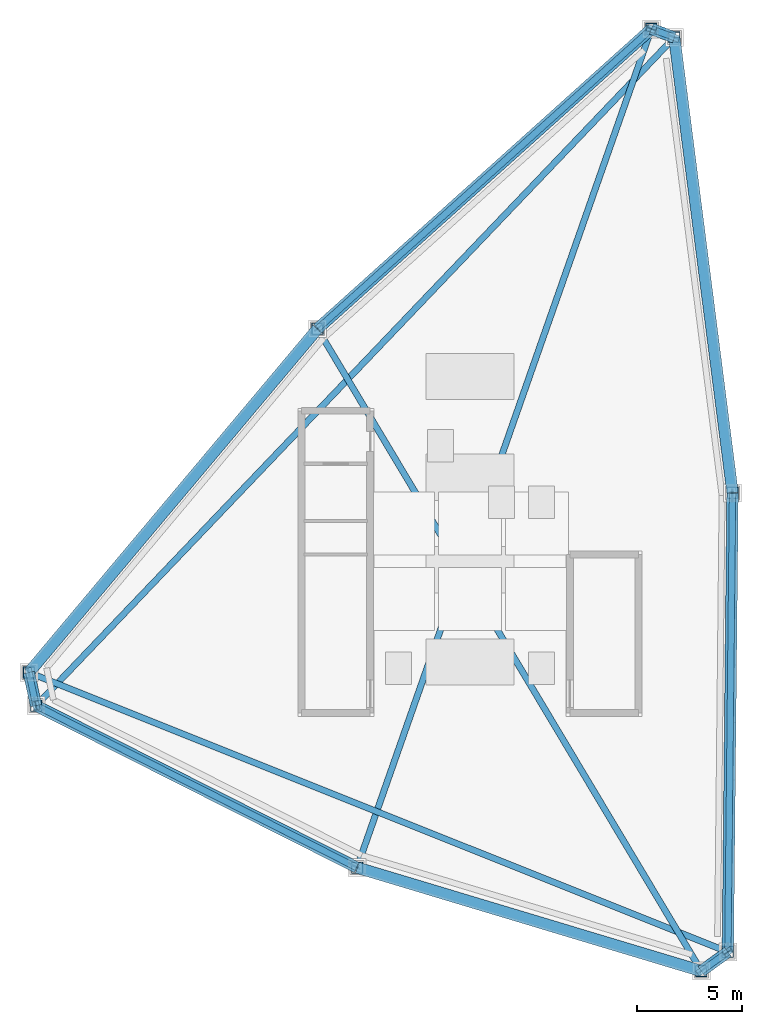
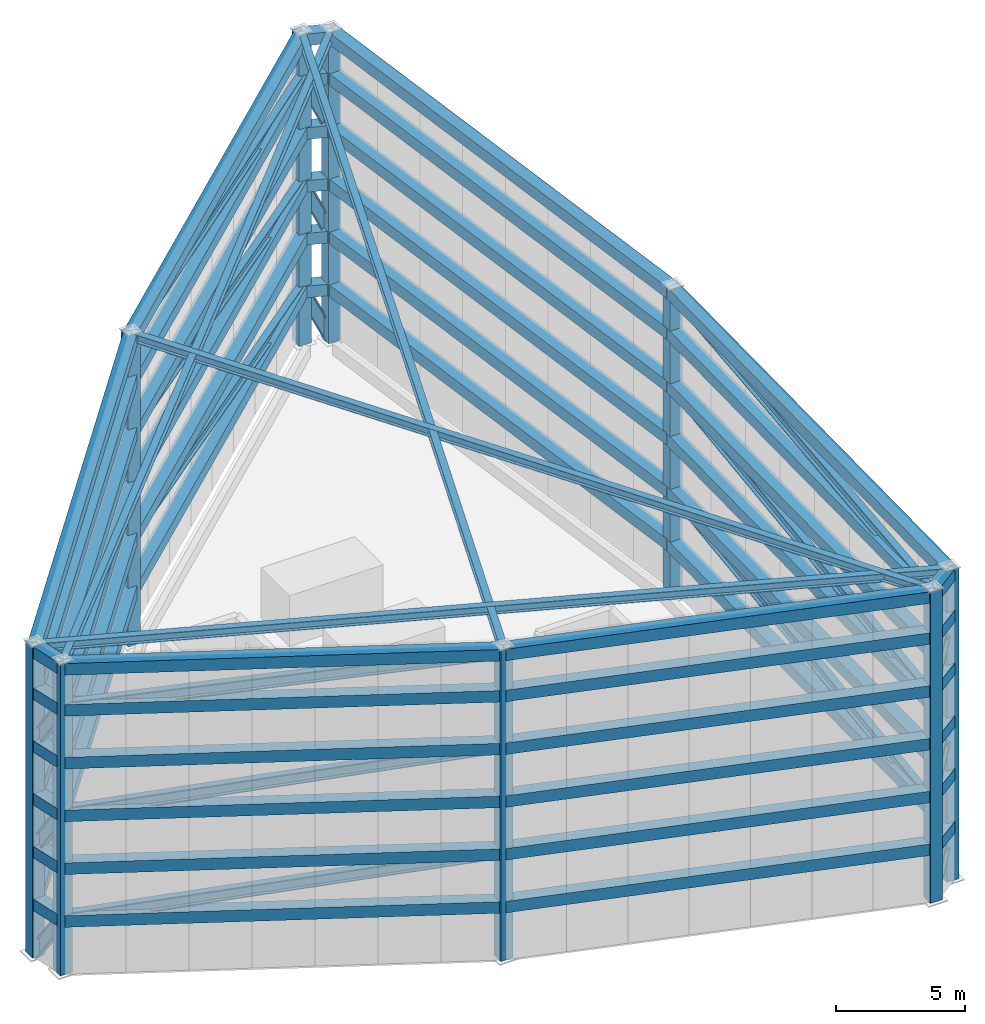
# One storey, part 1 of 9: 58 beams, 18 members, 9 columns.
"""IFC4 building model written with IfcOpenShell, lengths in metres."""

from ifc_helpers import new_model, si_unit, direction, frame, origin, origin_2d, place, context, subcontext, project, spatial, hollow_rectangle, i_section, extrude, source, transform, mapped, material, material_profile, profile_set, type_object, element, save


model = new_model("IFC4")

# Units and contexts
model_context = context("Model", 3, precision=1e-05, world=origin(), true_north=direction((0.0, 1.0)))
body_context = subcontext(model_context, "Body", "Model", "MODEL_VIEW")
ifc_project = project(units=[si_unit("LENGTHUNIT", "METRE"), si_unit("AREAUNIT", "SQUARE_METRE"), si_unit("VOLUMEUNIT", "CUBIC_METRE"), si_unit("PLANEANGLEUNIT", "RADIAN"), si_unit("MASSUNIT", "GRAM", prefix="KILO")], contexts=[model_context])

# Site, building, storey
site_placement = place(None, origin())
site = spatial("IfcSite", under=ifc_project, at=site_placement, CompositionType="ELEMENT")
building_placement = place(site_placement, origin())
building = spatial("IfcBuilding", under=site, at=building_placement, Name="Olszyna Solenne Hotel", CompositionType="ELEMENT")
storey_placement = place(building_placement, frame((0.0, 0.0, 295.0)))
storey = spatial("IfcBuildingStorey", under=building, at=storey_placement, Name="Roof Crown", CompositionType="ELEMENT", Elevation=295.0)

# Columns
ifc_material_1 = material(Name="Steel S460M", Category="steel")
ifc_material_profile_1 = material_profile(ifc_material_1, hollow_rectangle(XDim=0.550048828125, YDim=0.550048828125, WallThickness=0.030029296875, at=origin_2d()), Name="SHS 550x550x30", Category="load-bearing")
ifc_profile_set_1 = profile_set([ifc_material_profile_1], Name="Steel S460M")
column_type = type_object("IfcColumnType", Name="COL-CF1 CROWN FRAME", PredefinedType="COLUMN", material=ifc_profile_set_1)
shared_shape_1 = source(origin(), body_context, "Body", "SweptSolid", [
    extrude(hollow_rectangle(XDim=0.550048828125, YDim=0.550048828125, WallThickness=0.030029296875, at=origin_2d()), origin(), (0.0, 0.0, 1.0), 14.719970703125),
])
for number, where, z_axis, x_axis, name in (
    (1, (47.73046875, 51.541015625, 0.0), (0.0, 0.0, 1.0), (1.0, 0.0, 0.0), "CROWN FRAME vertical post COL-CF1 CF-COL-01"),
    (2, (46.6376953125, 51.9462890625, 0.0), (0.0, 0.0, 1.0), (1.0, 0.0, 0.0), "CROWN FRAME vertical post COL-CF1 CF-COL-02"),
    (3, (30.739990234375, 37.668212890625, 0.0), (0.0, 0.0, 1.0), (1.0, 0.0, 0.0), "CROWN FRAME vertical post COL-CF1 CF-COL-03"),
    (4, (16.998779296875, 21.30419921875, 0.0), (0.0, 0.0, 1.0), (1.0, 0.0, 0.0), "CROWN FRAME vertical post COL-CF1 CF-COL-04"),
    (5, (17.33740234375, 19.724609375, 0.0), (0.0, 0.0, 1.0), (1.0, 0.0, 0.0), "CROWN FRAME vertical post COL-CF1 CF-COL-05"),
    (6, (32.621337890625, 12.012451171875, 0.0), (0.0, 0.0, 1.0), (1.0, 0.0, 0.0), "CROWN FRAME vertical post COL-CF1 CF-COL-06"),
    (7, (49.016845703125, 7.0869140625, 0.0), (0.0, 0.0, 1.0), (1.0, 0.0, 0.0), "CROWN FRAME vertical post COL-CF1 CF-COL-07"),
    (8, (50.27880859375, 7.9970703125, 0.0), (0.0, 0.0, 1.0), (1.0, 0.0, 0.0), "CROWN FRAME vertical post COL-CF1 CF-COL-08"),
    (9, (50.502197265625, 29.856689453125, 0.0), (0.0, 0.0, 1.0), (1.0, 0.0, 0.0), "CROWN FRAME vertical post COL-CF1 CF-COL-09"),
):
    element("IfcColumn", number, at=place(storey_placement, frame(where, z_axis=z_axis, x_axis=x_axis)), inside=storey, type_object=column_type, Name=name, PredefinedType="COLUMN", context=body_context, shape_type="MappedRepresentation", body=[
        mapped(shared_shape_1, transform((0.0, 0.0, 0.0), x_axis=(1.0, 0.0, 0.0), y_axis=(0.0, 1.0, 0.0), z_axis=(0.0, 0.0, 1.0), scale=1.0)),
    ])

# Beams
ifc_material_profile_2 = material_profile(ifc_material_1, hollow_rectangle(XDim=0.550048828125, YDim=0.550048828125, WallThickness=0.030029296875, at=origin_2d()), Name="SHS 550x550x30", Category="load-bearing")
ifc_profile_set_2 = profile_set([ifc_material_profile_2], Name="Steel S460M")
beam_type_1 = type_object("IfcBeamType", Name="CF-RG1 CROWN FRAME", PredefinedType="BEAM", material=ifc_profile_set_2)
shared_shape_2 = source(origin(), body_context, "Body", "SweptSolid", [
    extrude(hollow_rectangle(XDim=0.550048828125, YDim=0.550048828125, WallThickness=0.030029296875, at=origin_2d()), origin(), (0.0, 0.0, 1.0), 1.16552734375),
])
for number, where, z_axis, x_axis, name in (
    (10, (47.73046875, 51.541015625, 2.5), (-0.937597063116, 0.347723665052, 0.0), (-0.347723665052, -0.937597063116, 0.0), "CROWN FRAME ring beam CF-RG1 CF-RG-T1-01"),
    (11, (47.73046875, 51.541015625, 5.0), (-0.937597063116, 0.347723665052, 0.0), (-0.347723665052, -0.937597063116, 0.0), "CROWN FRAME ring beam CF-RG1 CF-RG-T2-01"),
    (12, (47.73046875, 51.541015625, 7.5), (-0.937597063116, 0.347723665052, 0.0), (-0.347723665052, -0.937597063116, 0.0), "CROWN FRAME ring beam CF-RG1 CF-RG-T3-01"),
    (13, (47.73046875, 51.541015625, 10.0), (-0.937597063116, 0.347723665052, 0.0), (-0.347723665052, -0.937597063116, 0.0), "CROWN FRAME ring beam CF-RG1 CF-RG-T4-01"),
    (14, (47.73046875, 51.541015625, 12.5), (-0.937597063116, 0.347723665052, 0.0), (-0.347723665052, -0.937597063116, 0.0), "CROWN FRAME ring beam CF-RG1 CF-RG-T5-01"),
    (15, (47.73046875, 51.541015625, 14.43994140625), (-0.937597063116, 0.347723665052, 0.0), (-0.347723665052, -0.937597063116, 0.0), "CROWN FRAME ring beam CF-RG1 CF-RG-T6-01"),
):
    element("IfcBeam", number, at=place(storey_placement, frame(where, z_axis=z_axis, x_axis=x_axis)), inside=storey, type_object=beam_type_1, Name=name, PredefinedType="BEAM", context=body_context, shape_type="MappedRepresentation", body=[
        mapped(shared_shape_2, transform((0.0, 0.0, 0.0), x_axis=(1.0, 0.0, 0.0), y_axis=(0.0, 1.0, 0.0), z_axis=(0.0, 0.0, 1.0), scale=1.0)),
    ])
shared_shape_3 = source(origin(), body_context, "Body", "SweptSolid", [
    extrude(hollow_rectangle(XDim=0.550048828125, YDim=0.550048828125, WallThickness=0.030029296875, at=origin_2d()), origin(), (0.0, 0.0, 1.0), 21.3681640625),
])
for number, where, z_axis, x_axis, name in (
    (16, (46.6376953125, 51.9462890625, 2.5), (-0.743988549254, -0.668192366448, 0.0), (0.668192366448, -0.743988549254, 0.0), "CROWN FRAME ring beam CF-RG1 CF-RG-T1-02"),
    (17, (30.739990234375, 37.668212890625, 2.5), (-0.643066945105, -0.765809966057, 0.0), (0.765809966057, -0.643066945105, 0.0), "CROWN FRAME ring beam CF-RG1 CF-RG-T1-03"),
    (18, (46.6376953125, 51.9462890625, 5.0), (-0.743988549254, -0.668192366448, 0.0), (0.668192366448, -0.743988549254, 0.0), "CROWN FRAME ring beam CF-RG1 CF-RG-T2-02"),
    (19, (30.739990234375, 37.668212890625, 5.0), (-0.643066945105, -0.765809966057, 0.0), (0.765809966057, -0.643066945105, 0.0), "CROWN FRAME ring beam CF-RG1 CF-RG-T2-03"),
    (20, (46.6376953125, 51.9462890625, 7.5), (-0.743988549254, -0.668192366448, 0.0), (0.668192366448, -0.743988549254, 0.0), "CROWN FRAME ring beam CF-RG1 CF-RG-T3-02"),
    (21, (30.739990234375, 37.668212890625, 7.5), (-0.643066945105, -0.765809966057, 0.0), (0.765809966057, -0.643066945105, 0.0), "CROWN FRAME ring beam CF-RG1 CF-RG-T3-03"),
    (22, (46.6376953125, 51.9462890625, 10.0), (-0.743988549254, -0.668192366448, 0.0), (0.668192366448, -0.743988549254, 0.0), "CROWN FRAME ring beam CF-RG1 CF-RG-T4-02"),
    (23, (30.739990234375, 37.668212890625, 10.0), (-0.643066945105, -0.765809966057, 0.0), (0.765809966057, -0.643066945105, 0.0), "CROWN FRAME ring beam CF-RG1 CF-RG-T4-03"),
    (24, (46.6376953125, 51.9462890625, 12.5), (-0.743988549254, -0.668192366448, 0.0), (0.668192366448, -0.743988549254, 0.0), "CROWN FRAME ring beam CF-RG1 CF-RG-T5-02"),
    (25, (30.739990234375, 37.668212890625, 12.5), (-0.643066945105, -0.765809966057, 0.0), (0.765809966057, -0.643066945105, 0.0), "CROWN FRAME ring beam CF-RG1 CF-RG-T5-03"),
    (26, (46.6376953125, 51.9462890625, 14.43994140625), (-0.743988549254, -0.668192366448, 0.0), (0.668192366448, -0.743988549254, 0.0), "CROWN FRAME ring beam CF-RG1 CF-RG-T6-02"),
    (27, (30.739990234375, 37.668212890625, 14.43994140625), (-0.643066945105, -0.765809966057, 0.0), (0.765809966057, -0.643066945105, 0.0), "CROWN FRAME ring beam CF-RG1 CF-RG-T6-03"),
):
    element("IfcBeam", number, at=place(storey_placement, frame(where, z_axis=z_axis, x_axis=x_axis)), inside=storey, type_object=beam_type_1, Name=name, PredefinedType="BEAM", context=body_context, shape_type="MappedRepresentation", body=[
        mapped(shared_shape_3, transform((0.0, 0.0, 0.0), x_axis=(1.0, 0.0, 0.0), y_axis=(0.0, 1.0, 0.0), z_axis=(0.0, 0.0, 1.0), scale=1.0)),
    ])
shared_shape_4 = source(origin(), body_context, "Body", "SweptSolid", [
    extrude(hollow_rectangle(XDim=0.550048828125, YDim=0.550048828125, WallThickness=0.030029296875, at=origin_2d()), origin(), (0.0, 0.0, 1.0), 1.615478515625),
])
for number, where, z_axis, x_axis, name in (
    (28, (16.998779296875, 21.30419921875, 2.5), (0.209611654341, -0.977784717801, 0.0), (0.977784717801, 0.209611654341, 0.0), "CROWN FRAME ring beam CF-RG1 CF-RG-T1-04"),
    (29, (16.998779296875, 21.30419921875, 5.0), (0.209611654341, -0.977784717801, 0.0), (0.977784717801, 0.209611654341, 0.0), "CROWN FRAME ring beam CF-RG1 CF-RG-T2-04"),
    (30, (16.998779296875, 21.30419921875, 7.5), (0.209611654341, -0.977784717801, 0.0), (0.977784717801, 0.209611654341, 0.0), "CROWN FRAME ring beam CF-RG1 CF-RG-T3-04"),
    (31, (16.998779296875, 21.30419921875, 10.0), (0.209611654341, -0.977784717801, 0.0), (0.977784717801, 0.209611654341, 0.0), "CROWN FRAME ring beam CF-RG1 CF-RG-T4-04"),
    (32, (16.998779296875, 21.30419921875, 12.5), (0.209611654341, -0.977784717801, 0.0), (0.977784717801, 0.209611654341, 0.0), "CROWN FRAME ring beam CF-RG1 CF-RG-T5-04"),
    (33, (16.998779296875, 21.30419921875, 14.43994140625), (0.209611654341, -0.977784717801, 0.0), (0.977784717801, 0.209611654341, 0.0), "CROWN FRAME ring beam CF-RG1 CF-RG-T6-04"),
):
    element("IfcBeam", number, at=place(storey_placement, frame(where, z_axis=z_axis, x_axis=x_axis)), inside=storey, type_object=beam_type_1, Name=name, PredefinedType="BEAM", context=body_context, shape_type="MappedRepresentation", body=[
        mapped(shared_shape_4, transform((0.0, 0.0, 0.0), x_axis=(1.0, 0.0, 0.0), y_axis=(0.0, 1.0, 0.0), z_axis=(0.0, 0.0, 1.0), scale=1.0)),
    ])
shared_shape_5 = source(origin(), body_context, "Body", "SweptSolid", [
    extrude(hollow_rectangle(XDim=0.550048828125, YDim=0.550048828125, WallThickness=0.030029296875, at=origin_2d()), origin(), (0.0, 0.0, 1.0), 17.119384765625),
])
for number, where, z_axis, x_axis, name in (
    (34, (17.33740234375, 19.724609375, 2.5), (0.89278116215, -0.450490617561, 0.0), (0.450490617561, 0.89278116215, 0.0), "CROWN FRAME ring beam CF-RG1 CF-RG-T1-05"),
    (35, (32.621337890625, 12.012451171875, 2.5), (0.957715527426, -0.287716820028, 0.0), (0.287716820028, 0.957715527426, 0.0), "CROWN FRAME ring beam CF-RG1 CF-RG-T1-06"),
    (36, (17.33740234375, 19.724609375, 5.0), (0.89278116215, -0.450490617561, 0.0), (0.450490617561, 0.89278116215, 0.0), "CROWN FRAME ring beam CF-RG1 CF-RG-T2-05"),
    (37, (32.621337890625, 12.012451171875, 5.0), (0.957715527426, -0.287716820028, 0.0), (0.287716820028, 0.957715527426, 0.0), "CROWN FRAME ring beam CF-RG1 CF-RG-T2-06"),
    (38, (17.33740234375, 19.724609375, 7.5), (0.89278116215, -0.450490617561, 0.0), (0.450490617561, 0.89278116215, 0.0), "CROWN FRAME ring beam CF-RG1 CF-RG-T3-05"),
    (39, (32.621337890625, 12.012451171875, 7.5), (0.957715527426, -0.287716820028, 0.0), (0.287716820028, 0.957715527426, 0.0), "CROWN FRAME ring beam CF-RG1 CF-RG-T3-06"),
    (40, (17.33740234375, 19.724609375, 10.0), (0.89278116215, -0.450490617561, 0.0), (0.450490617561, 0.89278116215, 0.0), "CROWN FRAME ring beam CF-RG1 CF-RG-T4-05"),
    (41, (32.621337890625, 12.012451171875, 10.0), (0.957715527426, -0.287716820028, 0.0), (0.287716820028, 0.957715527426, 0.0), "CROWN FRAME ring beam CF-RG1 CF-RG-T4-06"),
    (42, (17.33740234375, 19.724609375, 12.5), (0.89278116215, -0.450490617561, 0.0), (0.450490617561, 0.89278116215, 0.0), "CROWN FRAME ring beam CF-RG1 CF-RG-T5-05"),
    (43, (32.621337890625, 12.012451171875, 12.5), (0.957715527426, -0.287716820028, 0.0), (0.287716820028, 0.957715527426, 0.0), "CROWN FRAME ring beam CF-RG1 CF-RG-T5-06"),
    (44, (17.33740234375, 19.724609375, 14.43994140625), (0.89278116215, -0.450490617561, 0.0), (0.450490617561, 0.89278116215, 0.0), "CROWN FRAME ring beam CF-RG1 CF-RG-T6-05"),
    (45, (32.621337890625, 12.012451171875, 14.43994140625), (0.957715527426, -0.287716820028, 0.0), (0.287716820028, 0.957715527426, 0.0), "CROWN FRAME ring beam CF-RG1 CF-RG-T6-06"),
):
    element("IfcBeam", number, at=place(storey_placement, frame(where, z_axis=z_axis, x_axis=x_axis)), inside=storey, type_object=beam_type_1, Name=name, PredefinedType="BEAM", context=body_context, shape_type="MappedRepresentation", body=[
        mapped(shared_shape_5, transform((0.0, 0.0, 0.0), x_axis=(1.0, 0.0, 0.0), y_axis=(0.0, 1.0, 0.0), z_axis=(0.0, 0.0, 1.0), scale=1.0)),
    ])
shared_shape_6 = source(origin(), body_context, "Body", "SweptSolid", [
    extrude(hollow_rectangle(XDim=0.550048828125, YDim=0.550048828125, WallThickness=0.030029296875, at=origin_2d()), origin(), (0.0, 0.0, 1.0), 1.555908203125),
])
for number, where, z_axis, x_axis, name in (
    (46, (49.016845703125, 7.0869140625, 2.5), (0.811063846967, 0.584957636195, 0.0), (-0.584957636195, 0.811063846967, 0.0), "CROWN FRAME ring beam CF-RG1 CF-RG-T1-07"),
    (47, (49.016845703125, 7.0869140625, 5.0), (0.811063846967, 0.584957636195, 0.0), (-0.584957636195, 0.811063846967, 0.0), "CROWN FRAME ring beam CF-RG1 CF-RG-T2-07"),
    (48, (49.016845703125, 7.0869140625, 7.5), (0.811063846967, 0.584957636195, 0.0), (-0.584957636195, 0.811063846967, 0.0), "CROWN FRAME ring beam CF-RG1 CF-RG-T3-07"),
    (49, (49.016845703125, 7.0869140625, 10.0), (0.811063846967, 0.584957636195, 0.0), (-0.584957636195, 0.811063846967, 0.0), "CROWN FRAME ring beam CF-RG1 CF-RG-T4-07"),
    (50, (49.016845703125, 7.0869140625, 12.5), (0.811063846967, 0.584957636195, 0.0), (-0.584957636195, 0.811063846967, 0.0), "CROWN FRAME ring beam CF-RG1 CF-RG-T5-07"),
    (51, (49.016845703125, 7.0869140625, 14.43994140625), (0.811063846967, 0.584957636195, 0.0), (-0.584957636195, 0.811063846967, 0.0), "CROWN FRAME ring beam CF-RG1 CF-RG-T6-07"),
):
    element("IfcBeam", number, at=place(storey_placement, frame(where, z_axis=z_axis, x_axis=x_axis)), inside=storey, type_object=beam_type_1, Name=name, PredefinedType="BEAM", context=body_context, shape_type="MappedRepresentation", body=[
        mapped(shared_shape_6, transform((0.0, 0.0, 0.0), x_axis=(1.0, 0.0, 0.0), y_axis=(0.0, 1.0, 0.0), z_axis=(0.0, 0.0, 1.0), scale=1.0)),
    ])
shared_shape_7 = source(origin(), body_context, "Body", "SweptSolid", [
    extrude(hollow_rectangle(XDim=0.550048828125, YDim=0.550048828125, WallThickness=0.030029296875, at=origin_2d()), origin(), (0.0, 0.0, 1.0), 21.86083984375),
])
for number, where, z_axis, x_axis, name in (
    (52, (50.27880859375, 7.9970703125, 2.5), (0.010218705404, 0.999947787667, 0.0), (-0.999947787667, 0.010218705404, 0.0), "CROWN FRAME ring beam CF-RG1 CF-RG-T1-08"),
    (53, (50.502197265625, 29.856689453125, 2.5), (-0.126790172104, 0.991929560129, 0.0), (-0.991929560129, -0.126790172104, 0.0), "CROWN FRAME ring beam CF-RG1 CF-RG-T1-09"),
    (54, (50.27880859375, 7.9970703125, 5.0), (0.010218705404, 0.999947787667, 0.0), (-0.999947787667, 0.010218705404, 0.0), "CROWN FRAME ring beam CF-RG1 CF-RG-T2-08"),
    (55, (50.502197265625, 29.856689453125, 5.0), (-0.126790172104, 0.991929560129, 0.0), (-0.991929560129, -0.126790172104, 0.0), "CROWN FRAME ring beam CF-RG1 CF-RG-T2-09"),
    (56, (50.27880859375, 7.9970703125, 7.5), (0.010218705404, 0.999947787667, 0.0), (-0.999947787667, 0.010218705404, 0.0), "CROWN FRAME ring beam CF-RG1 CF-RG-T3-08"),
    (57, (50.502197265625, 29.856689453125, 7.5), (-0.126790172104, 0.991929560129, 0.0), (-0.991929560129, -0.126790172104, 0.0), "CROWN FRAME ring beam CF-RG1 CF-RG-T3-09"),
    (58, (50.27880859375, 7.9970703125, 10.0), (0.010218705404, 0.999947787667, 0.0), (-0.999947787667, 0.010218705404, 0.0), "CROWN FRAME ring beam CF-RG1 CF-RG-T4-08"),
    (59, (50.502197265625, 29.856689453125, 10.0), (-0.126790172104, 0.991929560129, 0.0), (-0.991929560129, -0.126790172104, 0.0), "CROWN FRAME ring beam CF-RG1 CF-RG-T4-09"),
    (60, (50.27880859375, 7.9970703125, 12.5), (0.010218705404, 0.999947787667, 0.0), (-0.999947787667, 0.010218705404, 0.0), "CROWN FRAME ring beam CF-RG1 CF-RG-T5-08"),
    (61, (50.502197265625, 29.856689453125, 12.5), (-0.126790172104, 0.991929560129, 0.0), (-0.991929560129, -0.126790172104, 0.0), "CROWN FRAME ring beam CF-RG1 CF-RG-T5-09"),
    (62, (50.27880859375, 7.9970703125, 14.43994140625), (0.010218705404, 0.999947787667, 0.0), (-0.999947787667, 0.010218705404, 0.0), "CROWN FRAME ring beam CF-RG1 CF-RG-T6-08"),
    (63, (50.502197265625, 29.856689453125, 14.43994140625), (-0.126790172104, 0.991929560129, 0.0), (-0.991929560129, -0.126790172104, 0.0), "CROWN FRAME ring beam CF-RG1 CF-RG-T6-09"),
):
    element("IfcBeam", number, at=place(storey_placement, frame(where, z_axis=z_axis, x_axis=x_axis)), inside=storey, type_object=beam_type_1, Name=name, PredefinedType="BEAM", context=body_context, shape_type="MappedRepresentation", body=[
        mapped(shared_shape_7, transform((0.0, 0.0, 0.0), x_axis=(1.0, 0.0, 0.0), y_axis=(0.0, 1.0, 0.0), z_axis=(0.0, 0.0, 1.0), scale=1.0)),
    ])
ifc_material_2 = material(Name="Steel S355J2", Category="steel")
ifc_material_profile_3 = material_profile(ifc_material_2, i_section(OverallWidth=0.300048828125, OverallDepth=0.389892578125, WebThickness=0.010986328125, FlangeThickness=0.01904296875, at=origin_2d()), Name="HEA 400", Category="load-bearing")
ifc_profile_set_3 = profile_set([ifc_material_profile_3], Name="Steel S355J2")
beam_type_2 = type_object("IfcBeamType", Name="BM-G2", PredefinedType="BEAM", material=ifc_profile_set_3)
shared_shape_8 = source(origin(), body_context, "Body", "SweptSolid", [
    extrude(i_section(OverallWidth=0.300048828125, OverallDepth=0.389892578125, WebThickness=0.010986328125, FlangeThickness=0.01904296875, at=origin_2d()), origin(), (0.0, 0.0, 1.0), 43.880126953125),
])
beam_1_placement = place(storey_placement, frame((47.68896484375, 51.49755859375, 14.52490234375), z_axis=(-0.690747765442, -0.723095792089, 0.0), x_axis=(0.723095792089, -0.690747765442, 0.0)))
element("IfcBeam", 64, at=beam_1_placement, inside=storey, type_object=beam_type_2, Name="Crown cap spanning girder BM-G2 B-Roof Crown-2330", PredefinedType="BEAM", context=body_context, shape_type="MappedRepresentation", body=[
    mapped(shared_shape_8, transform((0.0, 0.0, 0.0), x_axis=(1.0, 0.0, 0.0), y_axis=(0.0, 1.0, 0.0), z_axis=(0.0, 0.0, 1.0), scale=1.0)),
])
shared_shape_9 = source(origin(), body_context, "Body", "SweptSolid", [
    extrude(i_section(OverallWidth=0.300048828125, OverallDepth=0.389892578125, WebThickness=0.010986328125, FlangeThickness=0.01904296875, at=origin_2d()), origin(), (0.0, 0.0, 1.0), 42.2021484375),
])
beam_2_placement = place(storey_placement, frame((46.61767578125, 51.8896484375, 14.52490234375), z_axis=(-0.331176180355, -0.943568936308, 0.0), x_axis=(0.943568936308, -0.331176180355, 0.0)))
element("IfcBeam", 65, at=beam_2_placement, inside=storey, type_object=beam_type_2, Name="Crown cap spanning girder BM-G2 B-Roof Crown-2331", PredefinedType="BEAM", context=body_context, shape_type="MappedRepresentation", body=[
    mapped(shared_shape_9, transform((0.0, 0.0, 0.0), x_axis=(1.0, 0.0, 0.0), y_axis=(0.0, 1.0, 0.0), z_axis=(0.0, 0.0, 1.0), scale=1.0)),
])
shared_shape_10 = source(origin(), body_context, "Body", "SweptSolid", [
    extrude(i_section(OverallWidth=0.300048828125, OverallDepth=0.389892578125, WebThickness=0.010986328125, FlangeThickness=0.01904296875, at=origin_2d()), origin(), (0.0, 0.0, 1.0), 35.5068359375),
])
beam_3_placement = place(storey_placement, frame((30.770751953125, 37.61669921875, 14.52490234375), z_axis=(0.513008581378, -0.858383478075, 0.0), x_axis=(0.858383478075, 0.513008581378, 0.0)))
element("IfcBeam", 66, at=beam_3_placement, inside=storey, type_object=beam_type_2, Name="Crown cap spanning girder BM-G2 B-Roof Crown-2332", PredefinedType="BEAM", context=body_context, shape_type="MappedRepresentation", body=[
    mapped(shared_shape_10, transform((0.0, 0.0, 0.0), x_axis=(1.0, 0.0, 0.0), y_axis=(0.0, 1.0, 0.0), z_axis=(0.0, 0.0, 1.0), scale=1.0)),
])
shared_shape_11 = source(origin(), body_context, "Body", "SweptSolid", [
    extrude(i_section(OverallWidth=0.300048828125, OverallDepth=0.389892578125, WebThickness=0.010986328125, FlangeThickness=0.01904296875, at=origin_2d()), origin(), (0.0, 0.0, 1.0), 35.721923828125),
])
beam_4_placement = place(storey_placement, frame((17.054443359375, 21.281982421875, 14.52490234375), z_axis=(0.928522875225, -0.371275194678, 0.0), x_axis=(0.371275194678, 0.928522875225, 0.0)))
element("IfcBeam", 67, at=beam_4_placement, inside=storey, type_object=beam_type_2, Name="Crown cap spanning girder BM-G2 B-Roof Crown-2333", PredefinedType="BEAM", context=body_context, shape_type="MappedRepresentation", body=[
    mapped(shared_shape_11, transform((0.0, 0.0, 0.0), x_axis=(1.0, 0.0, 0.0), y_axis=(0.0, 1.0, 0.0), z_axis=(0.0, 0.0, 1.0), scale=1.0)),
])

# Members
ifc_material_profile_4 = material_profile(ifc_material_2, i_section(OverallWidth=0.305908203125, OverallDepth=0.52392578125, WebThickness=0.02099609375, FlangeThickness=0.0400390625, at=origin_2d()), Name="HEM 500", Category="load-bearing")
ifc_profile_set_4 = profile_set([ifc_material_profile_4], Name="Steel S355J2")
member_type = type_object("IfcMemberType", Name="CF-BR1 CROWN FRAME", PredefinedType="BRACE", material=ifc_profile_set_4)
shared_shape_12 = source(origin(), body_context, "Body", "SweptSolid", [
    extrude(i_section(OverallWidth=0.305908203125, OverallDepth=0.52392578125, WebThickness=0.02099609375, FlangeThickness=0.0400390625, at=origin_2d()), origin(), (0.0, 0.0, 1.0), 2.740234375),
])
member_1_placement = place(storey_placement, frame((47.73046875, 51.541015625, 0.02001953125), z_axis=(-0.398793116131, 0.147899144946, 0.905035852025), x_axis=(-0.347723665052, -0.937597063116, 0.0)))
element("IfcMember", 68, at=member_1_placement, inside=storey, type_object=member_type, Name="CROWN FRAME diagonal brace CF-BR1 CF-BR-T1-1", PredefinedType="BRACE", context=body_context, shape_type="MappedRepresentation", body=[
    mapped(shared_shape_12, transform((0.0, 0.0, 0.0), x_axis=(1.0, 0.0, 0.0), y_axis=(0.0, 1.0, 0.0), z_axis=(0.0, 0.0, 1.0), scale=1.0)),
])
shared_shape_13 = source(origin(), body_context, "Body", "SweptSolid", [
    extrude(i_section(OverallWidth=0.305908203125, OverallDepth=0.52392578125, WebThickness=0.02099609375, FlangeThickness=0.0400390625, at=origin_2d()), origin(), (0.0, 0.0, 1.0), 2.959716796875),
])
member_2_placement = place(storey_placement, frame((16.998779296875, 21.30419921875, 0.02001953125), z_axis=(0.114409649791, -0.533691733345, 0.837904270065), x_axis=(0.977784717801, 0.209611654341, 0.0)))
element("IfcMember", 69, at=member_2_placement, inside=storey, type_object=member_type, Name="CROWN FRAME diagonal brace CF-BR1 CF-BR-T1-2", PredefinedType="BRACE", context=body_context, shape_type="MappedRepresentation", body=[
    mapped(shared_shape_13, transform((0.0, 0.0, 0.0), x_axis=(1.0, 0.0, 0.0), y_axis=(0.0, 1.0, 0.0), z_axis=(0.0, 0.0, 1.0), scale=1.0)),
])
shared_shape_14 = source(origin(), body_context, "Body", "SweptSolid", [
    extrude(i_section(OverallWidth=0.305908203125, OverallDepth=0.52392578125, WebThickness=0.02099609375, FlangeThickness=0.0400390625, at=origin_2d()), origin(), (0.0, 0.0, 1.0), 2.927734375),
])
member_3_placement = place(storey_placement, frame((49.016845703125, 7.0869140625, 0.02001953125), z_axis=(0.431047182258, 0.31088100125, 0.847084015744), x_axis=(-0.584957636195, 0.811063846967, 0.0)))
element("IfcMember", 70, at=member_3_placement, inside=storey, type_object=member_type, Name="CROWN FRAME diagonal brace CF-BR1 CF-BR-T1-3", PredefinedType="BRACE", context=body_context, shape_type="MappedRepresentation", body=[
    mapped(shared_shape_14, transform((0.0, 0.0, 0.0), x_axis=(1.0, 0.0, 0.0), y_axis=(0.0, 1.0, 0.0), z_axis=(0.0, 0.0, 1.0), scale=1.0)),
])
shared_shape_15 = source(origin(), body_context, "Body", "SweptSolid", [
    extrude(i_section(OverallWidth=0.305908203125, OverallDepth=0.52392578125, WebThickness=0.02099609375, FlangeThickness=0.0400390625, at=origin_2d()), origin(), (0.0, 0.0, 1.0), 21.513916015625),
])
for number, where, z_axis, x_axis, name in (
    (71, (46.6376953125, 51.9462890625, 2.5), (-0.738948333479, -0.663665638572, 0.116203617102), (0.668192366448, -0.743988549254, 0.0), "CROWN FRAME diagonal brace CF-BR1 CF-BR-T2-1"),
    (72, (46.6376953125, 51.9462890625, 7.5), (-0.738948333479, -0.663665638572, 0.116203617102), (0.668192366448, -0.743988549254, 0.0), "CROWN FRAME diagonal brace CF-BR1 CF-BR-T4-1"),
):
    element("IfcMember", number, at=place(storey_placement, frame(where, z_axis=z_axis, x_axis=x_axis)), inside=storey, type_object=member_type, Name=name, PredefinedType="BRACE", context=body_context, shape_type="MappedRepresentation", body=[
        mapped(shared_shape_15, transform((0.0, 0.0, 0.0), x_axis=(1.0, 0.0, 0.0), y_axis=(0.0, 1.0, 0.0), z_axis=(0.0, 0.0, 1.0), scale=1.0)),
    ])
shared_shape_16 = source(origin(), body_context, "Body", "SweptSolid", [
    extrude(i_section(OverallWidth=0.305908203125, OverallDepth=0.52392578125, WebThickness=0.02099609375, FlangeThickness=0.0400390625, at=origin_2d()), origin(), (0.0, 0.0, 1.0), 17.301025390625),
])
for number, where, z_axis, x_axis, name in (
    (73, (17.33740234375, 19.724609375, 2.5), (0.883411250428, -0.445762631021, 0.144499963331), (0.450490617561, 0.89278116215, 0.0), "CROWN FRAME diagonal brace CF-BR1 CF-BR-T2-2"),
    (74, (17.33740234375, 19.724609375, 7.5), (0.883411250428, -0.445762631021, 0.144499963331), (0.450490617561, 0.89278116215, 0.0), "CROWN FRAME diagonal brace CF-BR1 CF-BR-T4-2"),
):
    element("IfcMember", number, at=place(storey_placement, frame(where, z_axis=z_axis, x_axis=x_axis)), inside=storey, type_object=member_type, Name=name, PredefinedType="BRACE", context=body_context, shape_type="MappedRepresentation", body=[
        mapped(shared_shape_16, transform((0.0, 0.0, 0.0), x_axis=(1.0, 0.0, 0.0), y_axis=(0.0, 1.0, 0.0), z_axis=(0.0, 0.0, 1.0), scale=1.0)),
    ])
shared_shape_17 = source(origin(), body_context, "Body", "SweptSolid", [
    extrude(i_section(OverallWidth=0.305908203125, OverallDepth=0.52392578125, WebThickness=0.02099609375, FlangeThickness=0.0400390625, at=origin_2d()), origin(), (0.0, 0.0, 1.0), 22.003173828125),
])
for number, where, z_axis, x_axis, name in (
    (75, (50.27880859375, 7.9970703125, 2.5), (0.010152532402, 0.993472452124, 0.113619597594), (-0.999947787667, 0.010218705404, 0.0), "CROWN FRAME diagonal brace CF-BR1 CF-BR-T2-3"),
    (76, (50.27880859375, 7.9970703125, 7.5), (0.010152532402, 0.993472452124, 0.113619597594), (-0.999947787667, 0.010218705404, 0.0), "CROWN FRAME diagonal brace CF-BR1 CF-BR-T4-3"),
):
    element("IfcMember", number, at=place(storey_placement, frame(where, z_axis=z_axis, x_axis=x_axis)), inside=storey, type_object=member_type, Name=name, PredefinedType="BRACE", context=body_context, shape_type="MappedRepresentation", body=[
        mapped(shared_shape_17, transform((0.0, 0.0, 0.0), x_axis=(1.0, 0.0, 0.0), y_axis=(0.0, 1.0, 0.0), z_axis=(0.0, 0.0, 1.0), scale=1.0)),
    ])
shared_shape_18 = source(origin(), body_context, "Body", "SweptSolid", [
    extrude(i_section(OverallWidth=0.305908203125, OverallDepth=0.52392578125, WebThickness=0.02099609375, FlangeThickness=0.0400390625, at=origin_2d()), origin(), (0.0, 0.0, 1.0), 2.75830078125),
])
for number, where, z_axis, x_axis, name in (
    (77, (47.73046875, 51.541015625, 5.0), (-0.396171702314, 0.146926949473, 0.906344555786), (-0.347723665052, -0.937597063116, 0.0), "CROWN FRAME diagonal brace CF-BR1 CF-BR-T3-1"),
    (78, (47.73046875, 51.541015625, 10.0), (-0.396171702314, 0.146926949473, 0.906344555786), (-0.347723665052, -0.937597063116, 0.0), "CROWN FRAME diagonal brace CF-BR1 CF-BR-T5-1"),
):
    element("IfcMember", number, at=place(storey_placement, frame(where, z_axis=z_axis, x_axis=x_axis)), inside=storey, type_object=member_type, Name=name, PredefinedType="BRACE", context=body_context, shape_type="MappedRepresentation", body=[
        mapped(shared_shape_18, transform((0.0, 0.0, 0.0), x_axis=(1.0, 0.0, 0.0), y_axis=(0.0, 1.0, 0.0), z_axis=(0.0, 0.0, 1.0), scale=1.0)),
    ])
shared_shape_19 = source(origin(), body_context, "Body", "SweptSolid", [
    extrude(i_section(OverallWidth=0.305908203125, OverallDepth=0.52392578125, WebThickness=0.02099609375, FlangeThickness=0.0400390625, at=origin_2d()), origin(), (0.0, 0.0, 1.0), 2.9765625),
])
for number, where, z_axis, x_axis, name in (
    (79, (16.998779296875, 21.30419921875, 5.0), (0.113764116395, -0.530680485274, 0.839902344544), (0.977784717801, 0.209611654341, 0.0), "CROWN FRAME diagonal brace CF-BR1 CF-BR-T3-2"),
    (80, (16.998779296875, 21.30419921875, 10.0), (0.113764116395, -0.530680485274, 0.839902344544), (0.977784717801, 0.209611654341, 0.0), "CROWN FRAME diagonal brace CF-BR1 CF-BR-T5-2"),
):
    element("IfcMember", number, at=place(storey_placement, frame(where, z_axis=z_axis, x_axis=x_axis)), inside=storey, type_object=member_type, Name=name, PredefinedType="BRACE", context=body_context, shape_type="MappedRepresentation", body=[
        mapped(shared_shape_19, transform((0.0, 0.0, 0.0), x_axis=(1.0, 0.0, 0.0), y_axis=(0.0, 1.0, 0.0), z_axis=(0.0, 0.0, 1.0), scale=1.0)),
    ])
shared_shape_20 = source(origin(), body_context, "Body", "SweptSolid", [
    extrude(i_section(OverallWidth=0.305908203125, OverallDepth=0.52392578125, WebThickness=0.02099609375, FlangeThickness=0.0400390625, at=origin_2d()), origin(), (0.0, 0.0, 1.0), 2.944580078125),
])
for number, where, z_axis, x_axis, name in (
    (81, (49.016845703125, 7.0869140625, 5.0), (0.428561965813, 0.309088606801, 0.848998748294), (-0.584957636195, 0.811063846967, 0.0), "CROWN FRAME diagonal brace CF-BR1 CF-BR-T3-3"),
    (82, (49.016845703125, 7.0869140625, 10.0), (0.428561965813, 0.309088606801, 0.848998748294), (-0.584957636195, 0.811063846967, 0.0), "CROWN FRAME diagonal brace CF-BR1 CF-BR-T5-3"),
):
    element("IfcMember", number, at=place(storey_placement, frame(where, z_axis=z_axis, x_axis=x_axis)), inside=storey, type_object=member_type, Name=name, PredefinedType="BRACE", context=body_context, shape_type="MappedRepresentation", body=[
        mapped(shared_shape_20, transform((0.0, 0.0, 0.0), x_axis=(1.0, 0.0, 0.0), y_axis=(0.0, 1.0, 0.0), z_axis=(0.0, 0.0, 1.0), scale=1.0)),
    ])
shared_shape_21 = source(origin(), body_context, "Body", "SweptSolid", [
    extrude(i_section(OverallWidth=0.305908203125, OverallDepth=0.52392578125, WebThickness=0.02099609375, FlangeThickness=0.0400390625, at=origin_2d()), origin(), (0.0, 0.0, 1.0), 21.4560546875),
])
member_4_placement = place(storey_placement, frame((46.6376953125, 51.9462890625, 12.5), z_axis=(-0.740941338037, -0.665455599496, 0.090414482732), x_axis=(0.668192366448, -0.743988549254, 0.0)))
element("IfcMember", 83, at=member_4_placement, inside=storey, type_object=member_type, Name="CROWN FRAME diagonal brace CF-BR1 CF-BR-T6-1", PredefinedType="BRACE", context=body_context, shape_type="MappedRepresentation", body=[
    mapped(shared_shape_21, transform((0.0, 0.0, 0.0), x_axis=(1.0, 0.0, 0.0), y_axis=(0.0, 1.0, 0.0), z_axis=(0.0, 0.0, 1.0), scale=1.0)),
])
shared_shape_22 = source(origin(), body_context, "Body", "SweptSolid", [
    extrude(i_section(OverallWidth=0.305908203125, OverallDepth=0.52392578125, WebThickness=0.02099609375, FlangeThickness=0.0400390625, at=origin_2d()), origin(), (0.0, 0.0, 1.0), 17.22900390625),
])
member_5_placement = place(storey_placement, frame((17.33740234375, 19.724609375, 12.5), z_axis=(0.887103706596, -0.447625816457, 0.112597256563), x_axis=(0.450490617561, 0.89278116215, 0.0)))
element("IfcMember", 84, at=member_5_placement, inside=storey, type_object=member_type, Name="CROWN FRAME diagonal brace CF-BR1 CF-BR-T6-2", PredefinedType="BRACE", context=body_context, shape_type="MappedRepresentation", body=[
    mapped(shared_shape_22, transform((0.0, 0.0, 0.0), x_axis=(1.0, 0.0, 0.0), y_axis=(0.0, 1.0, 0.0), z_axis=(0.0, 0.0, 1.0), scale=1.0)),
])
shared_shape_23 = source(origin(), body_context, "Body", "SweptSolid", [
    extrude(i_section(OverallWidth=0.305908203125, OverallDepth=0.52392578125, WebThickness=0.02099609375, FlangeThickness=0.0400390625, at=origin_2d()), origin(), (0.0, 0.0, 1.0), 21.94677734375),
])
member_6_placement = place(storey_placement, frame((50.27880859375, 7.9970703125, 12.5), z_axis=(0.010178705701, 0.996033631019, 0.088393437708), x_axis=(-0.999947787667, 0.010218705404, 0.0)))
element("IfcMember", 85, at=member_6_placement, inside=storey, type_object=member_type, Name="CROWN FRAME diagonal brace CF-BR1 CF-BR-T6-3", PredefinedType="BRACE", context=body_context, shape_type="MappedRepresentation", body=[
    mapped(shared_shape_23, transform((0.0, 0.0, 0.0), x_axis=(1.0, 0.0, 0.0), y_axis=(0.0, 1.0, 0.0), z_axis=(0.0, 0.0, 1.0), scale=1.0)),
])

save(model, "model.ifc")
